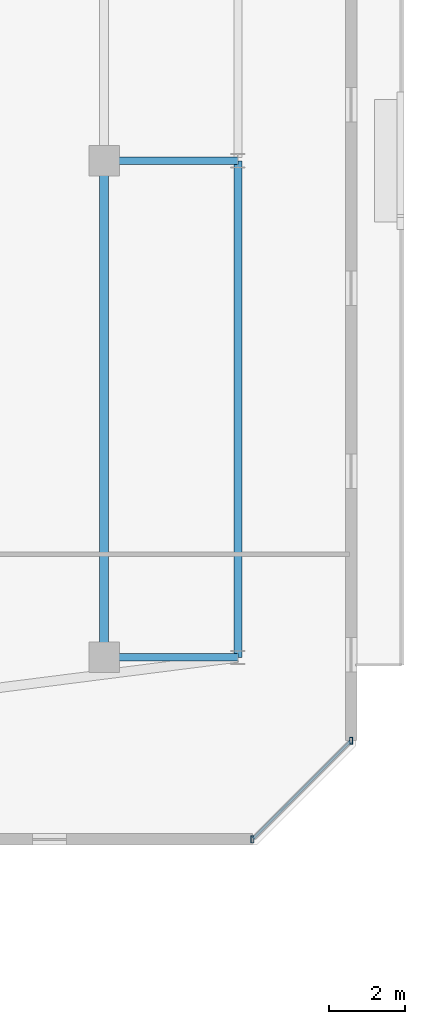
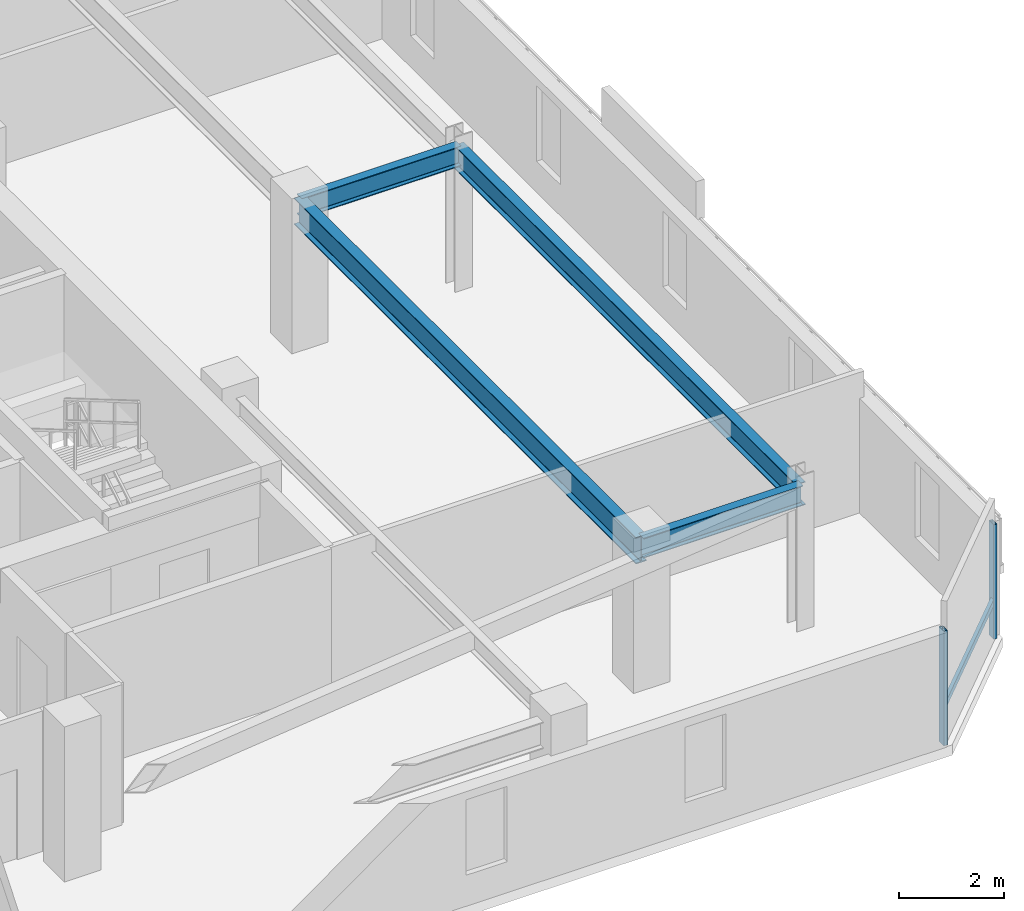
# One storey, part 16 of 35: 4 beams, 3 members, 1 element without a shape of its own.
"""IFC4 building model written with IfcOpenShell, lengths in metres."""

from ifc_helpers import new_model, si_unit, direction, frame, origin, origin_2d, place, context, subcontext, project, spatial, hollow_rectangle, i_section, extrude, material, material_profile, profile_set, type_object, element, aggregate, save


model = new_model("IFC4")

# Units and contexts
model_context = context("Model", 3, precision=1e-05, world=origin(), true_north=direction((0.0, 1.0)))
body_context = subcontext(model_context, "Body", "Model", "MODEL_VIEW")
ifc_project = project(units=[si_unit("LENGTHUNIT", "METRE"), si_unit("AREAUNIT", "SQUARE_METRE"), si_unit("VOLUMEUNIT", "CUBIC_METRE"), si_unit("PLANEANGLEUNIT", "RADIAN"), si_unit("MASSUNIT", "GRAM", prefix="KILO")], contexts=[model_context])

# Site, building, storey
site_placement = place(None, origin())
site = spatial("IfcSite", under=ifc_project, at=site_placement, CompositionType="ELEMENT")
building_placement = place(site_placement, origin())
building = spatial("IfcBuilding", under=site, at=building_placement, Name="Thornwick Lancets Civic Towers", CompositionType="ELEMENT")
storey_placement = place(building_placement, frame((0.0, 0.0, 276.300048828125)))
storey = spatial("IfcBuildingStorey", under=building, at=storey_placement, Name="L74", CompositionType="ELEMENT", Elevation=276.300048828125)

# Beams
ifc_material_1 = material(Name="Steel S355JR", Category="steel")
ifc_material_profile_1 = material_profile(ifc_material_1, i_section(OverallWidth=0.210693359375, OverallDepth=0.53955078125, WebThickness=0.01171875, FlangeThickness=0.018798828125, FilletRadius=0.0126953125, at=origin_2d()), Name="UKB 533x210x109")
ifc_profile_set_1 = profile_set([ifc_material_profile_1], Name="Steel S355JR")
beam_type_1 = type_object("IfcBeamType", Name="BM_EDGE_533_109", PredefinedType="SPANDREL", material=ifc_profile_set_1)
beam_1_placement = place(storey_placement, frame((109.300048828125, 14.0, 3.01025390625), z_axis=(0.0, 1.0, 0.0), x_axis=(-1.0, 0.0, 0.0)))
element("IfcBeam", 1, at=beam_1_placement, inside=storey, type_object=beam_type_1, Name="BM-EDGE-L74-B-S0-1", PredefinedType="SPANDREL", context=body_context, shape_type="SweptSolid", body=[
    extrude(i_section(OverallWidth=0.210693359375, OverallDepth=0.53955078125, WebThickness=0.01171875, FlangeThickness=0.018798828125, FilletRadius=0.0126953125, at=origin_2d()), origin(), (0.0, 0.0, 1.0), 13.0),
])
ifc_material_profile_2 = material_profile(ifc_material_1, i_section(OverallWidth=0.230224609375, OverallDepth=0.6171875, WebThickness=0.01318359375, FlangeThickness=0.022216796875, FilletRadius=0.0126953125, at=origin_2d()), Name="UKB 610x229x140")
ifc_profile_set_2 = profile_set([ifc_material_profile_2], Name="Steel S355JR")
beam_type_2 = type_object("IfcBeamType", Name="BM_GIRD_610_140", PredefinedType="BEAM", material=ifc_profile_set_2)
beam_2_placement = place(storey_placement, frame((105.800048828125, 14.0, 2.971435546875), z_axis=(0.0, 1.0, 0.0), x_axis=(-1.0, 0.0, 0.0)))
element("IfcBeam", 2, at=beam_2_placement, inside=storey, type_object=beam_type_2, Name="BM-SPINE-L74-B-0-1", PredefinedType="BEAM", context=body_context, shape_type="SweptSolid", body=[
    extrude(i_section(OverallWidth=0.230224609375, OverallDepth=0.6171875, WebThickness=0.01318359375, FlangeThickness=0.022216796875, FilletRadius=0.0126953125, at=origin_2d()), origin(), (0.0, 0.0, 1.0), 13.0),
])
ifc_material_profile_3 = material_profile(ifc_material_1, i_section(OverallWidth=0.19189453125, OverallDepth=0.46337890625, WebThickness=0.010498046875, FlangeThickness=0.017578125, FilletRadius=0.01025390625, at=origin_2d()), Name="UKB 457x191x89")
ifc_profile_set_3 = profile_set([ifc_material_profile_3], Name="Steel S355JR")
beam_type_3 = type_object("IfcBeamType", Name="BM_JOIST_457_89", PredefinedType="JOIST", material=ifc_profile_set_3)
for number, where, z_axis, x_axis, name in (
    (3, (105.800048828125, 14.0, 3.04833984375), (1.0, 0.0, 0.0), (0.0, 1.0, 0.0), "BM-RAD-L74-B01"),
    (4, (105.800048828125, 27.0, 3.04833984375), (1.0, 0.0, 0.0), (0.0, 1.0, 0.0), "BM-RAD-L74-B02"),
):
    element("IfcBeam", number, at=place(storey_placement, frame(where, z_axis=z_axis, x_axis=x_axis)), inside=storey, type_object=beam_type_3, Name=name, PredefinedType="JOIST", context=body_context, shape_type="SweptSolid", body=[
        extrude(i_section(OverallWidth=0.19189453125, OverallDepth=0.46337890625, WebThickness=0.010498046875, FlangeThickness=0.017578125, FilletRadius=0.01025390625, at=origin_2d()), origin(), (0.0, 0.0, 1.0), 3.5),
    ])

# Curtain wall, members
ifc_material_2 = material(Name="High-zone chamfered-corner unitised glass curtain wall", Category="glass")
curtain_wall_type = type_object("IfcCurtainWallType", Name="CW_SYS_05", PredefinedType="NOTDEFINED", material=ifc_material_2)
curtain_wall_placement = place(storey_placement, origin())
curtain_wall = element("IfcCurtainWall", 5, at=curtain_wall_placement, inside=storey, type_object=curtain_wall_type, Name="L74 Curtain Wall CW-L74-B-E1", PredefinedType="NOTDEFINED")
ifc_material_3 = material(Name="Thermally broken bronze aluminium S355", Category="steel")
ifc_material_profile_4 = material_profile(ifc_material_3, hollow_rectangle(XDim=0.074951171875, YDim=0.179931640625, WallThickness=0.006103515625, at=origin_2d()), Name="RHS 180x75x6")
ifc_profile_set_4 = profile_set([ifc_material_profile_4], Name="Thermally broken bronze aluminium S355")
member_type_1 = type_object("IfcMemberType", Name="CW_MUL_180", PredefinedType="MULLION", material=ifc_profile_set_4)
member_1_placement = place(storey_placement, frame((109.681396484375, 9.2353515625, 0.0), z_axis=(0.0, 0.0, 1.0), x_axis=(1.0, 0.0, 0.0)))
member_1 = element("IfcMember", 6, at=member_1_placement, type_object=member_type_1, Name="CW-L74-B-E1 Mullion 0", PredefinedType="MULLION", context=body_context, shape_type="SweptSolid", body=[
    extrude(hollow_rectangle(XDim=0.074951171875, YDim=0.179931640625, WallThickness=0.006103515625, at=origin_2d()), origin(), (0.0, 0.0, 1.0), 2.659912109375),
])
member_2_placement = place(storey_placement, frame((112.2646484375, 11.818603515625, 0.0), z_axis=(0.0, 0.0, 1.0), x_axis=(1.0, 0.0, 0.0)))
member_2 = element("IfcMember", 7, at=member_2_placement, type_object=member_type_1, Name="CW-L74-B-E1 Mullion 1", PredefinedType="MULLION", context=body_context, shape_type="SweptSolid", body=[
    extrude(hollow_rectangle(XDim=0.074951171875, YDim=0.179931640625, WallThickness=0.006103515625, at=origin_2d()), origin(), (0.0, 0.0, 1.0), 2.659912109375),
])
ifc_material_profile_5 = material_profile(ifc_material_3, hollow_rectangle(XDim=0.074951171875, YDim=0.14990234375, WallThickness=0.0048828125, at=origin_2d()), Name="RHS 150x75x5")
ifc_profile_set_5 = profile_set([ifc_material_profile_5], Name="Thermally broken bronze aluminium S355")
member_type_2 = type_object("IfcMemberType", Name="CW_TRN_150", PredefinedType="USERDEFINED", material=ifc_profile_set_5)
member_3_placement = place(storey_placement, frame((109.695556640625, 9.24951171875, 0.849853515625), z_axis=(0.707106781187, 0.707106781187, 0.0), x_axis=(-0.707106781187, 0.707106781187, 0.0)))
member_3 = element("IfcMember", 8, at=member_3_placement, type_object=member_type_2, Name="CW-L74-B-E1 Transom 0", ObjectType="TRANSOM", PredefinedType="USERDEFINED", context=body_context, shape_type="SweptSolid", body=[
    extrude(hollow_rectangle(XDim=0.074951171875, YDim=0.14990234375, WallThickness=0.0048828125, at=origin_2d()), origin(), (0.0, 0.0, 1.0), 3.61328125),
])
aggregate(curtain_wall, [member_1, member_2, member_3])

save(model, "model.ifc")
